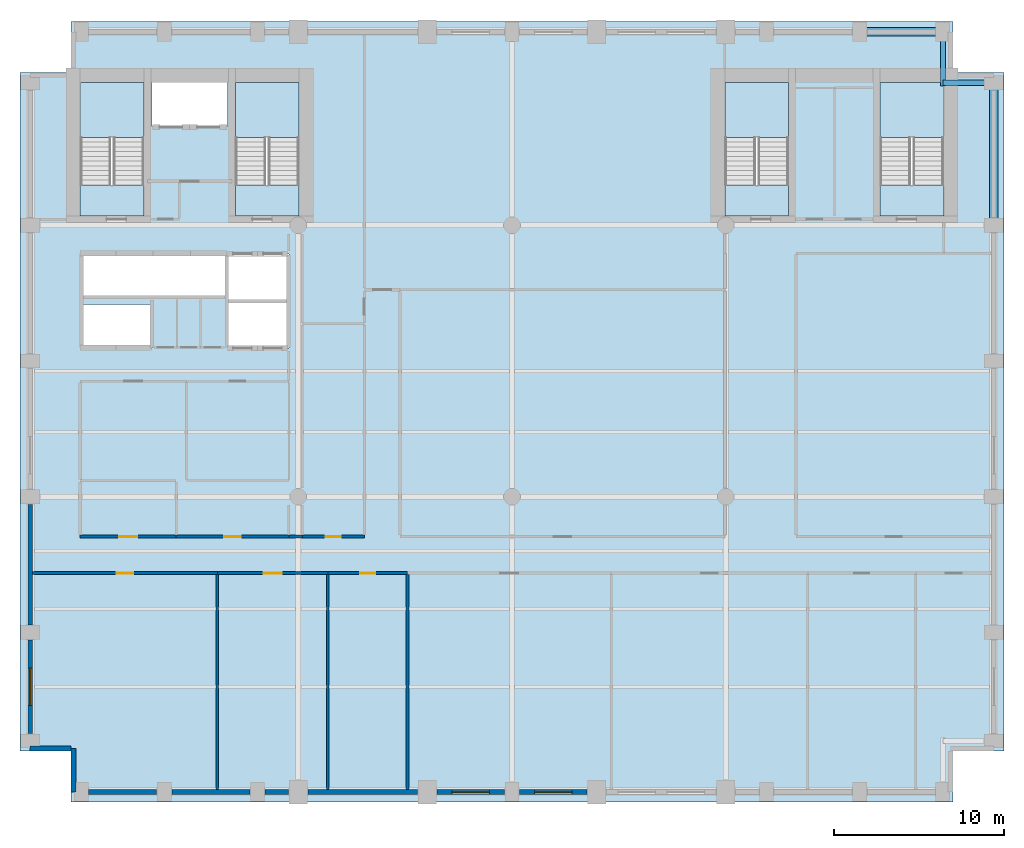
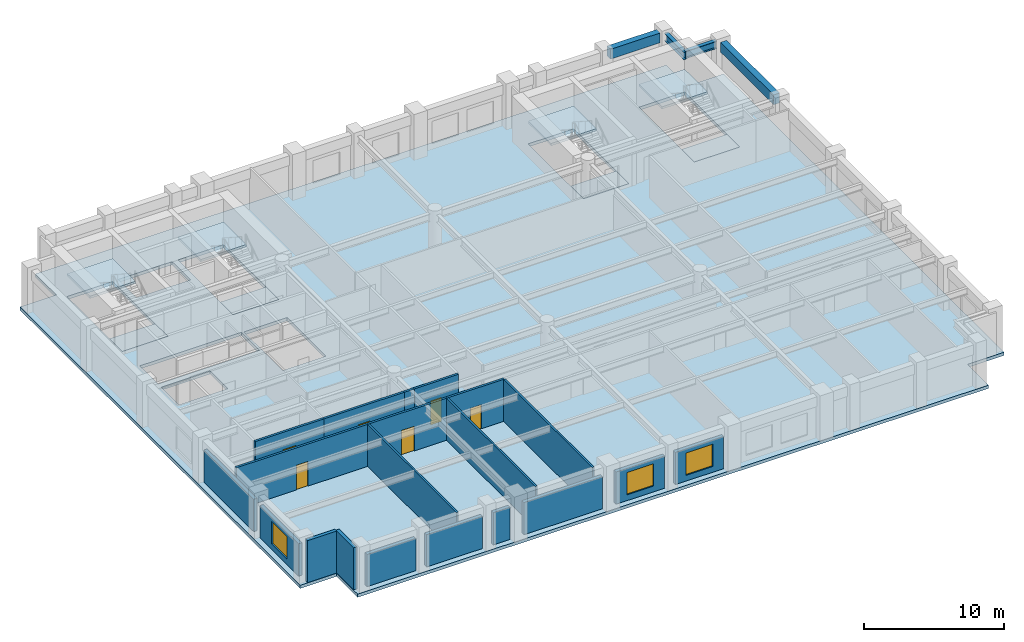
# One storey, part 2 of 8: 20 walls, 9 slabs, 6 doors, 4 beams, 3 windows, 9 openings, 4 elements without a shape of their own.
"""IFC4 building model written with IfcOpenShell, lengths in metres."""

from ifc_helpers import new_model, si_unit, direction, frame, frame_2d, origin, origin_2d, place, context, subcontext, project, spatial, polyline, rectangle, i_section, outline, extrude, material, layer, layer_set, material_profile, profile_set, type_object, element, fill, aggregate, save


model = new_model("IFC4")

# Units and contexts
model_context = context("Model", 3, precision=1e-05, world=origin(), true_north=direction((0.0, 1.0)))
body_context = subcontext(model_context, "Body", "Model", "MODEL_VIEW")
ifc_project = project(units=[si_unit("LENGTHUNIT", "METRE"), si_unit("AREAUNIT", "SQUARE_METRE"), si_unit("VOLUMEUNIT", "CUBIC_METRE"), si_unit("PLANEANGLEUNIT", "RADIAN"), si_unit("MASSUNIT", "GRAM", prefix="KILO")], contexts=[model_context])

# Site, building, storey
site_placement = place(None, origin())
site = spatial("IfcSite", under=ifc_project, at=site_placement, CompositionType="ELEMENT")
building_placement = place(site_placement, origin())
building = spatial("IfcBuilding", under=site, at=building_placement, Name="Sulina Concourse Tower", CompositionType="ELEMENT")
storey_placement = place(building_placement, frame((0.0, 0.0, 156.60009765625)))
storey = spatial("IfcBuildingStorey", under=building, at=storey_placement, Name="L38", CompositionType="ELEMENT", Elevation=156.60009765625)

# Beams
ifc_material_1 = material(Name="Steel S355", Category="steel")
ifc_material_profile_1 = material_profile(ifc_material_1, i_section(OverallWidth=0.300048828125, OverallDepth=0.64990234375, WebThickness=0.01611328125, FlangeThickness=0.031005859375, at=origin_2d()), Name="HE 650 B")
ifc_profile_set_1 = profile_set([ifc_material_profile_1], Name="Steel S355")
beam_type_1 = type_object("IfcBeamType", Name="Floor Primary Girder Zone 2 HE650B", PredefinedType="BEAM", material=ifc_profile_set_1)
beam_1_placement = place(storey_placement, frame((54.39990234375, 42.39990234375, 3.3349609375), z_axis=(1.0, 0.0, 0.0), x_axis=(0.0, 1.0, 0.0)))
element("IfcBeam", 1, at=beam_1_placement, inside=storey, type_object=beam_type_1, Name="TIE-NE-L38", PredefinedType="BEAM", context=body_context, shape_type="SweptSolid", body=[
    extrude(i_section(OverallWidth=0.300048828125, OverallDepth=0.64990234375, WebThickness=0.01611328125, FlangeThickness=0.031005859375, at=origin_2d()), origin(), (0.0, 0.0, 1.0), 2.59521484375),
])
beam_2_placement = place(storey_placement, frame((54.39990234375, 42.199951171875, 3.3349609375), z_axis=(0.0, 1.0, 0.0), x_axis=(-1.0, 0.0, 0.0)))
element("IfcBeam", 2, at=beam_2_placement, inside=storey, type_object=beam_type_1, Name="TIE-NEN-L38", PredefinedType="BEAM", context=body_context, shape_type="SweptSolid", body=[
    extrude(i_section(OverallWidth=0.300048828125, OverallDepth=0.64990234375, WebThickness=0.01611328125, FlangeThickness=0.031005859375, at=origin_2d()), origin(), (0.0, 0.0, 1.0), 2.795166015625),
])
ifc_material_2 = material(Name="Precast concrete C50/60", Category="concrete")
ifc_material_profile_2 = material_profile(ifc_material_2, rectangle(XDim=0.5, YDim=0.85009765625, at=origin_2d()), Name="RC 500x850")
ifc_profile_set_2 = profile_set([ifc_material_profile_2], Name="Precast concrete C50/60")
beam_type_2 = type_object("IfcBeamType", Name="Lower Precast Spandrel Edge Beam 500x850", PredefinedType="BEAM", material=ifc_profile_set_2)
beam_3_placement = place(storey_placement, frame((49.905029296875, 45.39990234375, 3.23486328125), z_axis=(1.0, 0.0, 0.0), x_axis=(0.0, 1.0, 0.0)))
element("IfcBeam", 3, at=beam_3_placement, inside=storey, type_object=beam_type_2, Name="SP-N10-L38", PredefinedType="BEAM", context=body_context, shape_type="SweptSolid", body=[
    extrude(rectangle(XDim=0.5, YDim=0.85009765625, at=origin_2d()), origin(), (0.0, 0.0, 1.0), 4.090087890625),
])
beam_4_placement = place(storey_placement, frame((57.39990234375, 34.405029296875, 3.23486328125), z_axis=(0.0, 1.0, 0.0), x_axis=(-1.0, 0.0, 0.0)))
element("IfcBeam", 4, at=beam_4_placement, inside=storey, type_object=beam_type_2, Name="SP-E5-L38", PredefinedType="BEAM", context=body_context, shape_type="SweptSolid", body=[
    extrude(rectangle(XDim=0.5, YDim=0.85009765625, at=origin_2d()), origin(), (0.0, 0.0, 1.0), 7.590087890625),
])

# Slabs
ifc_material_3 = material(Name="Concrete C50/60", Category="concrete")
ifc_layer_1 = layer(ifc_material_3, 0.27490234375)
ifc_layer_set_1 = layer_set([ifc_layer_1], Name="Concrete C50/60")
slab_type_1 = type_object("IfcSlabType", Name="Mid-Rise Composite Floor Slab 275mm", PredefinedType="FLOOR", material=ifc_layer_set_1)
slab_1_placement = place(storey_placement, frame((0.0, 0.0, -0.275146484375)))
element("IfcSlab", 5, at=slab_1_placement, inside=storey, type_object=slab_type_1, Name="L38 structural floor slab", PredefinedType="FLOOR", context=body_context, shape_type="SweptSolid", body=[
    extrude(outline(polyline([(3.0, 0.0), (55.0, 0.0), (55.0, 3.0), (58.0, 3.0), (58.0, 43.0), (55.0, 43.0), (55.0, 46.0), (3.0, 46.0), (3.0, 43.0), (0.0, 43.0), (0.0, 3.0), (3.0, 3.0), (3.0, 0.0)]), holes=[polyline([(7.31005859375, 34.550048828125), (7.31005859375, 42.429931640625), (3.550048828125, 42.429931640625), (3.550048828125, 34.550048828125), (7.31005859375, 34.550048828125)]), polyline([(16.449951171875, 34.550048828125), (16.449951171875, 42.429931640625), (12.68994140625, 42.429931640625), (12.68994140625, 34.550048828125), (16.449951171875, 34.550048828125)]), polyline([(45.31005859375, 34.550048828125), (45.31005859375, 42.429931640625), (41.550048828125, 42.429931640625), (41.550048828125, 34.550048828125), (45.31005859375, 34.550048828125)]), polyline([(54.449951171875, 34.550048828125), (54.449951171875, 42.429931640625), (50.68994140625, 42.429931640625), (50.68994140625, 34.550048828125), (54.449951171875, 34.550048828125)]), polyline([(7.780029296875, 39.830078125), (12.219970703125, 39.830078125), (12.219970703125, 42.449951171875), (7.780029296875, 42.449951171875), (7.780029296875, 39.830078125)]), polyline([(3.739990234375, 26.780029296875), (7.77001953125, 26.780029296875), (7.77001953125, 29.320068359375), (3.739990234375, 29.320068359375), (3.739990234375, 26.780029296875)]), polyline([(3.739990234375, 29.780029296875), (12.10009765625, 29.780029296875), (12.10009765625, 32.3701171875), (3.739990234375, 32.3701171875), (3.739990234375, 29.780029296875)]), polyline([(12.280029296875, 26.780029296875), (15.85009765625, 26.780029296875), (15.85009765625, 32.320068359375), (12.280029296875, 32.320068359375), (12.280029296875, 26.780029296875)])]), origin(), (0.0, 0.0, 1.0), 0.275146484375),
])
ifc_material_4 = material(Name="Concrete C50/60", Category="concrete")
ifc_layer_2 = layer(ifc_material_4, 0.199951171875)
ifc_layer_set_2 = layer_set([ifc_layer_2], Name="Concrete C50/60")
slab_type_2 = type_object("IfcSlabType", Name="Primary Core Stair Landing Slab 200mm", PredefinedType="LANDING", material=ifc_layer_set_2)
slab_2_placement = place(storey_placement, frame((0.0, 0.0, -0.2001953125)))
element("IfcSlab", 6, at=slab_2_placement, inside=storey, type_object=slab_type_2, Name="L38 ST-1 floor landing slab", PredefinedType="LANDING", context=body_context, shape_type="SweptSolid", body=[
    extrude(outline(polyline([(7.31005859375, 34.550048828125), (7.31005859375, 36.375), (3.550048828125, 36.375), (3.550048828125, 34.550048828125), (7.31005859375, 34.550048828125)])), origin(), (0.0, 0.0, 1.0), 0.2001953125),
])
slab_3_placement = place(storey_placement, frame((0.0, 0.0, -0.2001953125)))
element("IfcSlab", 7, at=slab_3_placement, inside=storey, type_object=slab_type_2, Name="L38 ST-2 floor landing slab", PredefinedType="LANDING", context=body_context, shape_type="SweptSolid", body=[
    extrude(outline(polyline([(16.449951171875, 34.550048828125), (16.449951171875, 36.375), (12.68994140625, 36.375), (12.68994140625, 34.550048828125), (16.449951171875, 34.550048828125)])), origin(), (0.0, 0.0, 1.0), 0.2001953125),
])
slab_4_placement = place(storey_placement, frame((0.0, 0.0, -0.2001953125)))
element("IfcSlab", 8, at=slab_4_placement, inside=storey, type_object=slab_type_2, Name="L38 ST-3 floor landing slab", PredefinedType="LANDING", context=body_context, shape_type="SweptSolid", body=[
    extrude(outline(polyline([(45.31005859375, 34.550048828125), (45.31005859375, 36.375), (41.550048828125, 36.375), (41.550048828125, 34.550048828125), (45.31005859375, 34.550048828125)])), origin(), (0.0, 0.0, 1.0), 0.2001953125),
])
slab_5_placement = place(storey_placement, frame((0.0, 0.0, -0.2001953125)))
element("IfcSlab", 9, at=slab_5_placement, inside=storey, type_object=slab_type_2, Name="L38 ST-4 floor landing slab", PredefinedType="LANDING", context=body_context, shape_type="SweptSolid", body=[
    extrude(outline(polyline([(54.449951171875, 34.550048828125), (54.449951171875, 36.375), (50.68994140625, 36.375), (50.68994140625, 34.550048828125), (54.449951171875, 34.550048828125)])), origin(), (0.0, 0.0, 1.0), 0.2001953125),
])

# Stair, slab
ifc_material_5 = material(Name="Concrete C50/60", Category="concrete")
stair_type_1 = type_object("IfcStairType", Name="Primary Core Dog-Leg Exit Stair 1800mm", PredefinedType="HALF_TURN_STAIR", material=ifc_material_5)
stair_1_placement = place(storey_placement, origin())
stair_1 = element("IfcStair", 10, at=stair_1_placement, inside=storey, type_object=stair_type_1, Name="L38 ST-1", PredefinedType="HALF_TURN_STAIR")
slab_6_placement = place(storey_placement, frame((0.0, 0.0, 1.7998046875)))
slab_6 = element("IfcSlab", 11, at=slab_6_placement, type_object=slab_type_2, Name="ST-1 landing 1", PredefinedType="LANDING", context=body_context, shape_type="SweptSolid", body=[
    extrude(outline(polyline([(7.304931640625, 39.175048828125), (7.304931640625, 42.425048828125), (3.554931640625, 42.425048828125), (3.554931640625, 39.175048828125), (7.304931640625, 39.175048828125)])), origin(), (0.0, 0.0, 1.0), 0.2001953125),
])
aggregate(stair_1, [slab_6])

stair_2_placement = place(storey_placement, origin())
stair_2 = element("IfcStair", 12, at=stair_2_placement, inside=storey, type_object=stair_type_1, Name="L38 ST-2", PredefinedType="HALF_TURN_STAIR")
slab_7_placement = place(storey_placement, frame((0.0, 0.0, 1.7998046875)))
slab_7 = element("IfcSlab", 13, at=slab_7_placement, type_object=slab_type_2, Name="ST-2 landing 1", PredefinedType="LANDING", context=body_context, shape_type="SweptSolid", body=[
    extrude(outline(polyline([(16.445068359375, 39.175048828125), (16.445068359375, 42.425048828125), (12.695068359375, 42.425048828125), (12.695068359375, 39.175048828125), (16.445068359375, 39.175048828125)])), origin(), (0.0, 0.0, 1.0), 0.2001953125),
])
aggregate(stair_2, [slab_7])

ifc_material_6 = material(Name="Concrete C50/60", Category="concrete")
stair_type_2 = type_object("IfcStairType", Name="Portal & Podium Core Exit Stair 1820mm", PredefinedType="HALF_TURN_STAIR", material=ifc_material_6)
stair_3_placement = place(storey_placement, origin())
stair_3 = element("IfcStair", 14, at=stair_3_placement, inside=storey, type_object=stair_type_2, Name="L38 ST-3", PredefinedType="HALF_TURN_STAIR")
slab_8_placement = place(storey_placement, frame((0.0, 0.0, 1.7998046875)))
slab_8 = element("IfcSlab", 15, at=slab_8_placement, type_object=slab_type_2, Name="ST-3 landing 1", PredefinedType="LANDING", context=body_context, shape_type="SweptSolid", body=[
    extrude(outline(polyline([(45.304931640625, 39.175048828125), (45.304931640625, 42.425048828125), (41.554931640625, 42.425048828125), (41.554931640625, 39.175048828125), (45.304931640625, 39.175048828125)])), origin(), (0.0, 0.0, 1.0), 0.2001953125),
])
aggregate(stair_3, [slab_8])

stair_4_placement = place(storey_placement, origin())
stair_4 = element("IfcStair", 16, at=stair_4_placement, inside=storey, type_object=stair_type_2, Name="L38 ST-4", PredefinedType="HALF_TURN_STAIR")
slab_9_placement = place(storey_placement, frame((0.0, 0.0, 1.7998046875)))
slab_9 = element("IfcSlab", 17, at=slab_9_placement, type_object=slab_type_2, Name="ST-4 landing 1", PredefinedType="LANDING", context=body_context, shape_type="SweptSolid", body=[
    extrude(outline(polyline([(54.445068359375, 39.175048828125), (54.445068359375, 42.425048828125), (50.695068359375, 42.425048828125), (50.695068359375, 39.175048828125), (54.445068359375, 39.175048828125)])), origin(), (0.0, 0.0, 1.0), 0.2001953125),
])
aggregate(stair_4, [slab_9])

# Walls
ifc_material_7 = material(Name="Gypsum board on steel stud", Category="steel")
ifc_layer_3 = layer(ifc_material_7, 0.14990234375)
ifc_layer_set_3 = layer_set([ifc_layer_3], Name="Gypsum board on steel stud")
wall_type_1 = type_object("IfcWallType", Name="Inter-Tenancy Acoustic Partition 150mm", PredefinedType="PARTITIONING", material=ifc_layer_set_3)
for number, where, z_axis, x_axis, name in (
    (18, (11.639892578125, 0.739990234375, 0.0), (0.0, 0.0, 1.0), (0.0, 1.0, 0.0), "L38 interior partition 037"),
    (19, (18.139892578125, 0.739990234375, 0.0), (0.0, 0.0, 1.0), (0.0, 1.0, 0.0), "L38 interior partition 045"),
    (20, (22.840087890625, 0.739990234375, 0.0), (0.0, 0.0, 1.0), (0.0, 1.0, 0.0), "L38 interior partition 050"),
):
    element("IfcWall", number, at=place(storey_placement, frame(where, z_axis=z_axis, x_axis=x_axis)), inside=storey, type_object=wall_type_1, Name=name, PredefinedType="PARTITIONING", context=body_context, shape_type="SweptSolid", body=[
        extrude(rectangle(XDim=12.669921875, YDim=0.14990234375, at=frame_2d((6.3349609375, 0.0))), origin(), (0.0, 0.0, 1.0), 3.659912109375),
    ])

# Wall, opening, door
ifc_material_8 = material(Name="Gypsum board on steel stud", Category="steel")
ifc_layer_4 = layer(ifc_material_8, 0.179931640625)
ifc_layer_set_4 = layer_set([ifc_layer_4], Name="Gypsum board on steel stud")
wall_type_2 = type_object("IfcWallType", Name="Protected Corridor & Riser Partition 180mm", PredefinedType="PARTITIONING", material=ifc_layer_set_4)
wall_1_placement = place(storey_placement, frame((0.739990234375, 13.5, 0.0), z_axis=(0.0, 0.0, 1.0), x_axis=(1.0, 0.0, 0.0)))
wall_1 = element("IfcWall", 21, at=wall_1_placement, inside=storey, type_object=wall_type_2, Name="L38 interior partition 001", PredefinedType="PARTITIONING", context=body_context, shape_type="SweptSolid", body=[
    extrude(rectangle(XDim=10.89990234375, YDim=0.179931640625, at=frame_2d((5.449951171875, 0.0))), origin(), (0.0, 0.0, 1.0), 3.659912109375),
])
opening_1_placement = place(wall_1_placement, frame((4.97509765625, 0.0, 0.0)))
opening_1 = element("IfcOpeningElement", 22, at=opening_1_placement, cuts=wall_1, Name="Opening DR-19", PredefinedType="OPENING", context=body_context, shape_type="SweptSolid", body=[
    extrude(rectangle(XDim=0.949951171875, YDim=2.14990234375, at=frame_2d((0.47509765625, 1.074951171875))), frame((0.0, 0.099853515625, 0.0), z_axis=(0.0, -1.0, 0.0), x_axis=(1.0, 0.0, 0.0)), (0.0, 0.0, 1.0), 0.199951171875),
])
ifc_material_9 = material(Name="Oak-veneered acoustic timber leaf", Category="wood")
ifc_layer_5 = layer(ifc_material_9, 0.050048828125)
ifc_layer_set_5 = layer_set([ifc_layer_5], Name="Oak-veneered acoustic timber leaf")
door_type_1 = type_object("IfcDoorType", Name="Cellular Office & Meeting Door 950x2150", OperationType="NOTDEFINED", PredefinedType="DOOR", material=ifc_layer_set_5)
door_1_placement = place(opening_1_placement, origin())
door_1 = element("IfcDoor", 23, at=door_1_placement, inside=storey, type_object=door_type_1, Name="L38 interior door L38-S01", OperationType="SINGLE_SWING_RIGHT", OverallHeight=2.14990234375, OverallWidth=0.949951171875, PredefinedType="DOOR", context=body_context, shape_type="SweptSolid", body=[
    extrude(rectangle(XDim=0.949951171875, YDim=2.14990234375, at=frame_2d((0.47509765625, 1.074951171875))), frame((0.0, 0.02490234375, 0.0), z_axis=(0.0, -1.0, 0.0), x_axis=(1.0, 0.0, 0.0)), (0.0, 0.0, 1.0), 0.050048828125),
])
fill(opening_1, door_1)

wall_2_placement = place(storey_placement, frame((11.639892578125, 13.5, 0.0), z_axis=(0.0, 0.0, 1.0), x_axis=(1.0, 0.0, 0.0)))
wall_2 = element("IfcWall", 24, at=wall_2_placement, inside=storey, type_object=wall_type_2, Name="L38 interior partition 002", PredefinedType="PARTITIONING", context=body_context, shape_type="SweptSolid", body=[
    extrude(rectangle(XDim=6.5, YDim=0.179931640625, at=frame_2d((3.25, 0.0))), origin(), (0.0, 0.0, 1.0), 3.659912109375),
])
opening_2_placement = place(wall_2_placement, frame((2.72509765625, 0.0, 0.0)))
opening_2 = element("IfcOpeningElement", 25, at=opening_2_placement, cuts=wall_2, Name="Opening DR-37", PredefinedType="OPENING", context=body_context, shape_type="SweptSolid", body=[
    extrude(rectangle(XDim=1.050048828125, YDim=2.14990234375, at=frame_2d((0.52490234375, 1.074951171875))), frame((0.0, 0.099853515625, 0.0), z_axis=(0.0, -1.0, 0.0), x_axis=(1.0, 0.0, 0.0)), (0.0, 0.0, 1.0), 0.199951171875),
])
ifc_material_10 = material(Name="Oak-veneered fire door leaf")
ifc_layer_6 = layer(ifc_material_10, 0.050048828125)
ifc_layer_set_6 = layer_set([ifc_layer_6], Name="Oak-veneered fire door leaf")
door_type_2 = type_object("IfcDoorType", Name="Tenant Suite Entrance Fire Door 1050x2150", OperationType="NOTDEFINED", PredefinedType="DOOR", material=ifc_layer_set_6)
door_2_placement = place(opening_2_placement, origin())
door_2 = element("IfcDoor", 26, at=door_2_placement, inside=storey, type_object=door_type_2, Name="L38 interior door L38-S02A", OperationType="SINGLE_SWING_LEFT", OverallHeight=2.14990234375, OverallWidth=1.050048828125, PredefinedType="DOOR", context=body_context, shape_type="SweptSolid", body=[
    extrude(rectangle(XDim=1.050048828125, YDim=2.14990234375, at=frame_2d((0.52490234375, 1.074951171875))), frame((0.0, 0.02490234375, 0.0), z_axis=(0.0, -1.0, 0.0), x_axis=(1.0, 0.0, 0.0)), (0.0, 0.0, 1.0), 0.050048828125),
])
fill(opening_2, door_2)

wall_3_placement = place(storey_placement, frame((18.139892578125, 13.5, 0.0), z_axis=(0.0, 0.0, 1.0), x_axis=(1.0, 0.0, 0.0)))
wall_3 = element("IfcWall", 27, at=wall_3_placement, inside=storey, type_object=wall_type_2, Name="L38 interior partition 003", PredefinedType="PARTITIONING", context=body_context, shape_type="SweptSolid", body=[
    extrude(rectangle(XDim=4.7001953125, YDim=0.179931640625, at=frame_2d((2.35009765625, 0.0))), origin(), (0.0, 0.0, 1.0), 3.659912109375),
])
opening_3_placement = place(wall_3_placement, frame((1.909912109375, 0.0, 0.0)))
opening_3 = element("IfcOpeningElement", 28, at=opening_3_placement, cuts=wall_3, Name="Opening DR-38", PredefinedType="OPENING", context=body_context, shape_type="SweptSolid", body=[
    extrude(rectangle(XDim=0.8798828125, YDim=2.10009765625, at=frame_2d((0.43994140625, 1.050048828125))), frame((0.0, 0.099853515625, 0.0), z_axis=(0.0, -1.0, 0.0), x_axis=(1.0, 0.0, 0.0)), (0.0, 0.0, 1.0), 0.199951171875),
])
ifc_material_11 = material(Name="Galvanised steel acoustic fire leaf", Category="steel")
ifc_layer_7 = layer(ifc_material_11, 0.050048828125)
ifc_layer_set_7 = layer_set([ifc_layer_7], Name="Galvanised steel acoustic fire leaf")
door_type_3 = type_object("IfcDoorType", Name="Service Riser Fire Door 880x2100", OperationType="NOTDEFINED", PredefinedType="DOOR", material=ifc_layer_set_7)
door_3_placement = place(opening_3_placement, origin())
door_3 = element("IfcDoor", 29, at=door_3_placement, inside=storey, type_object=door_type_3, Name="L38 interior door L38-S02B", OperationType="SINGLE_SWING_RIGHT", OverallHeight=2.10009765625, OverallWidth=0.8798828125, PredefinedType="DOOR", context=body_context, shape_type="SweptSolid", body=[
    extrude(rectangle(XDim=0.8798828125, YDim=2.10009765625, at=frame_2d((0.43994140625, 1.050048828125))), frame((0.0, 0.02490234375, 0.0), z_axis=(0.0, -1.0, 0.0), x_axis=(1.0, 0.0, 0.0)), (0.0, 0.0, 1.0), 0.050048828125),
])
fill(opening_3, door_3)

wall_4_placement = place(storey_placement, frame((3.550048828125, 15.64990234375, 0.0), z_axis=(0.0, 0.0, 1.0), x_axis=(1.0, 0.0, 0.0)))
wall_4 = element("IfcWall", 30, at=wall_4_placement, inside=storey, type_object=wall_type_2, Name="L38 interior partition 008", PredefinedType="PARTITIONING", context=body_context, shape_type="SweptSolid", body=[
    extrude(rectangle(XDim=5.64990234375, YDim=0.179931640625, at=frame_2d((2.824951171875, 0.0))), origin(), (0.0, 0.0, 1.0), 3.659912109375),
])
opening_4_placement = place(wall_4_placement, frame((2.300048828125, 0.0, 0.0)))
opening_4 = element("IfcOpeningElement", 31, at=opening_4_placement, cuts=wall_4, Name="Opening DR-37", PredefinedType="OPENING", context=body_context, shape_type="SweptSolid", body=[
    extrude(rectangle(XDim=1.050048828125, YDim=2.14990234375, at=frame_2d((0.52490234375, 1.074951171875))), frame((0.0, 0.099853515625, 0.0), z_axis=(0.0, -1.0, 0.0), x_axis=(1.0, 0.0, 0.0)), (0.0, 0.0, 1.0), 0.199951171875),
])
door_4_placement = place(opening_4_placement, origin())
door_4 = element("IfcDoor", 32, at=door_4_placement, inside=storey, type_object=door_type_2, Name="L38 interior door L38-WSB-1", OperationType="SINGLE_SWING_LEFT", OverallHeight=2.14990234375, OverallWidth=1.050048828125, PredefinedType="DOOR", context=body_context, shape_type="SweptSolid", body=[
    extrude(rectangle(XDim=1.050048828125, YDim=2.14990234375, at=frame_2d((0.52490234375, 1.074951171875))), frame((0.0, 0.02490234375, 0.0), z_axis=(0.0, -1.0, 0.0), x_axis=(1.0, 0.0, 0.0)), (0.0, 0.0, 1.0), 0.050048828125),
])
fill(opening_4, door_4)

wall_5_placement = place(storey_placement, frame((9.199951171875, 15.64990234375, 0.0), z_axis=(0.0, 0.0, 1.0), x_axis=(1.0, 0.0, 0.0)))
wall_5 = element("IfcWall", 33, at=wall_5_placement, inside=storey, type_object=wall_type_2, Name="L38 interior partition 009", PredefinedType="PARTITIONING", context=body_context, shape_type="SweptSolid", body=[
    extrude(rectangle(XDim=6.650146484375, YDim=0.179931640625, at=frame_2d((3.3251953125, 0.0))), origin(), (0.0, 0.0, 1.0), 3.659912109375),
])
opening_5_placement = place(wall_5_placement, frame((2.85009765625, 0.0, 0.0)))
opening_5 = element("IfcOpeningElement", 34, at=opening_5_placement, cuts=wall_5, Name="Opening DR-19", PredefinedType="OPENING", context=body_context, shape_type="SweptSolid", body=[
    extrude(rectangle(XDim=0.949951171875, YDim=2.14990234375, at=frame_2d((0.47509765625, 1.074951171875))), frame((0.0, 0.099853515625, 0.0), z_axis=(0.0, -1.0, 0.0), x_axis=(1.0, 0.0, 0.0)), (0.0, 0.0, 1.0), 0.199951171875),
])
door_5_placement = place(opening_5_placement, origin())
door_5 = element("IfcDoor", 35, at=door_5_placement, inside=storey, type_object=door_type_1, Name="L38 interior door L38-WSB-2", OperationType="SINGLE_SWING_RIGHT", OverallHeight=2.14990234375, OverallWidth=0.949951171875, PredefinedType="DOOR", context=body_context, shape_type="SweptSolid", body=[
    extrude(rectangle(XDim=0.949951171875, YDim=2.14990234375, at=frame_2d((0.47509765625, 1.074951171875))), frame((0.0, 0.02490234375, 0.0), z_axis=(0.0, -1.0, 0.0), x_axis=(1.0, 0.0, 0.0)), (0.0, 0.0, 1.0), 0.050048828125),
])
fill(opening_5, door_5)

# Wall
wall_6_placement = place(storey_placement, frame((15.85009765625, 15.64990234375, 0.0), z_axis=(0.0, 0.0, 1.0), x_axis=(1.0, 0.0, 0.0)))
element("IfcWall", 36, at=wall_6_placement, inside=storey, type_object=wall_type_2, Name="L38 interior partition 010", PredefinedType="PARTITIONING", context=body_context, shape_type="SweptSolid", body=[
    extrude(rectangle(XDim=0.7998046875, YDim=0.179931640625, at=frame_2d((0.39990234375, 0.0))), origin(), (0.0, 0.0, 1.0), 3.659912109375),
])

# Wall, opening, door
wall_7_placement = place(storey_placement, frame((16.64990234375, 15.64990234375, 0.0), z_axis=(0.0, 0.0, 1.0), x_axis=(1.0, 0.0, 0.0)))
wall_7 = element("IfcWall", 37, at=wall_7_placement, inside=storey, type_object=wall_type_2, Name="L38 interior partition 011", PredefinedType="PARTITIONING", context=body_context, shape_type="SweptSolid", body=[
    extrude(rectangle(XDim=3.650146484375, YDim=0.179931640625, at=frame_2d((1.8251953125, 0.0))), origin(), (0.0, 0.0, 1.0), 3.659912109375),
])
opening_6_placement = place(wall_7_placement, frame((1.385009765625, 0.0, 0.0)))
opening_6 = element("IfcOpeningElement", 38, at=opening_6_placement, cuts=wall_7, Name="Opening DR-38", PredefinedType="OPENING", context=body_context, shape_type="SweptSolid", body=[
    extrude(rectangle(XDim=0.8798828125, YDim=2.10009765625, at=frame_2d((0.43994140625, 1.050048828125))), frame((0.0, 0.099853515625, 0.0), z_axis=(0.0, -1.0, 0.0), x_axis=(1.0, 0.0, 0.0)), (0.0, 0.0, 1.0), 0.199951171875),
])
door_6_placement = place(opening_6_placement, origin())
door_6 = element("IfcDoor", 39, at=door_6_placement, inside=storey, type_object=door_type_3, Name="L38 interior door L38-NC1", OperationType="SINGLE_SWING_LEFT", OverallHeight=2.10009765625, OverallWidth=0.8798828125, PredefinedType="DOOR", context=body_context, shape_type="SweptSolid", body=[
    extrude(rectangle(XDim=0.8798828125, YDim=2.10009765625, at=frame_2d((0.43994140625, 1.050048828125))), frame((0.0, 0.02490234375, 0.0), z_axis=(0.0, -1.0, 0.0), x_axis=(1.0, 0.0, 0.0)), (0.0, 0.0, 1.0), 0.050048828125),
])
fill(opening_6, door_6)

# Walls
ifc_material_12 = material(Name="Precast concrete C50/60", Category="concrete")
ifc_layer_8 = layer(ifc_material_12, 0.280029296875)
ifc_layer_set_8 = layer_set([ifc_layer_8], Name="Precast concrete C50/60")
wall_type_3 = type_object("IfcWallType", Name="Typical Precast Masonry-Frame Facade Wall 280mm", PredefinedType="SOLIDWALL", material=ifc_layer_set_8)
wall_8_placement = place(storey_placement, frame((8.054931640625, 0.60009765625, 0.0), z_axis=(0.0, 0.0, 1.0), x_axis=(-1.0, 0.0, 0.0)))
element("IfcWall", 40, at=wall_8_placement, inside=storey, type_object=wall_type_3, Name="L38 exterior precast wall S1", PredefinedType="SOLIDWALL", context=body_context, shape_type="SweptSolid", body=[
    extrude(rectangle(XDim=4.010009765625, YDim=0.280029296875, at=frame_2d((2.0048828125, 0.0))), origin(), (0.0, 0.0, 1.0), 2.809814453125),
])
wall_9_placement = place(storey_placement, frame((13.554931640625, 0.60009765625, 0.0), z_axis=(0.0, 0.0, 1.0), x_axis=(-1.0, 0.0, 0.0)))
element("IfcWall", 41, at=wall_9_placement, inside=storey, type_object=wall_type_3, Name="L38 exterior precast wall S2", PredefinedType="SOLIDWALL", context=body_context, shape_type="SweptSolid", body=[
    extrude(rectangle(XDim=4.60986328125, YDim=0.280029296875, at=frame_2d((2.304931640625, 0.0))), origin(), (0.0, 0.0, 1.0), 2.809814453125),
])
wall_10_placement = place(storey_placement, frame((15.830078125, 0.60009765625, 0.0), z_axis=(0.0, 0.0, 1.0), x_axis=(-1.0, 0.0, 0.0)))
element("IfcWall", 42, at=wall_10_placement, inside=storey, type_object=wall_type_3, Name="L38 exterior precast wall S3", PredefinedType="SOLIDWALL", context=body_context, shape_type="SweptSolid", body=[
    extrude(rectangle(XDim=1.385009765625, YDim=0.280029296875, at=frame_2d((0.6923828125, 0.0))), origin(), (0.0, 0.0, 1.0), 2.809814453125),
])
wall_11_placement = place(storey_placement, frame((23.429931640625, 0.60009765625, 0.0), z_axis=(0.0, 0.0, 1.0), x_axis=(-1.0, 0.0, 0.0)))
element("IfcWall", 43, at=wall_11_placement, inside=storey, type_object=wall_type_3, Name="L38 exterior precast wall S4", PredefinedType="SOLIDWALL", context=body_context, shape_type="SweptSolid", body=[
    extrude(rectangle(XDim=6.4599609375, YDim=0.280029296875, at=frame_2d((3.22998046875, 0.0))), origin(), (0.0, 0.0, 1.0), 2.809814453125),
])

# Wall, opening, window
wall_12_placement = place(storey_placement, frame((28.554931640625, 0.60009765625, 0.0), z_axis=(0.0, 0.0, 1.0), x_axis=(-1.0, 0.0, 0.0)))
wall_12 = element("IfcWall", 44, at=wall_12_placement, inside=storey, type_object=wall_type_3, Name="L38 exterior precast wall S5", PredefinedType="SOLIDWALL", context=body_context, shape_type="SweptSolid", body=[
    extrude(rectangle(XDim=3.98486328125, YDim=0.280029296875, at=frame_2d((1.992431640625, 0.0))), origin(), (0.0, 0.0, 1.0), 2.809814453125),
])
opening_7_placement = place(wall_12_placement, frame((0.892578125, 0.0, 0.5)))
opening_7 = element("IfcOpeningElement", 45, at=opening_7_placement, cuts=wall_12, Name="Opening WN-76", PredefinedType="OPENING", context=body_context, shape_type="SweptSolid", body=[
    extrude(rectangle(XDim=2.199951171875, YDim=1.949951171875, at=frame_2d((1.10009765625, 0.97509765625))), frame((0.0, 0.14990234375, 0.0), z_axis=(0.0, -1.0, 0.0), x_axis=(1.0, 0.0, 0.0)), (0.0, 0.0, 1.0), 0.300048828125),
])
ifc_material_13 = material(Name="Low-E solar double glazing in bronze aluminium", Category="aluminium")
window_type = type_object("IfcWindowType", Name="Recessed Spandrel Window 2200x1950", PartitioningType="DOUBLE_PANEL_VERTICAL", PredefinedType="WINDOW", material=ifc_material_13)
window_1_placement = place(opening_7_placement, origin())
window_1 = element("IfcWindow", 46, at=window_1_placement, inside=storey, type_object=window_type, Name="L38 punched window S5-1", OverallHeight=1.949951171875, OverallWidth=2.199951171875, PartitioningType="SINGLE_PANEL", PredefinedType="WINDOW", context=body_context, shape_type="SweptSolid", body=[
    extrude(rectangle(XDim=2.199951171875, YDim=1.949951171875, at=frame_2d((1.10009765625, 0.97509765625))), frame((0.0, 0.030029296875, 0.0), z_axis=(0.0, -1.0, 0.0), x_axis=(1.0, 0.0, 0.0)), (0.0, 0.0, 1.0), 0.06005859375),
])
fill(opening_7, window_1)

wall_13_placement = place(storey_placement, frame((33.429931640625, 0.60009765625, 0.0), z_axis=(0.0, 0.0, 1.0), x_axis=(-1.0, 0.0, 0.0)))
wall_13 = element("IfcWall", 47, at=wall_13_placement, inside=storey, type_object=wall_type_3, Name="L38 exterior precast wall S6", PredefinedType="SOLIDWALL", context=body_context, shape_type="SweptSolid", body=[
    extrude(rectangle(XDim=3.98486328125, YDim=0.280029296875, at=frame_2d((1.992431640625, 0.0))), origin(), (0.0, 0.0, 1.0), 2.809814453125),
])
opening_8_placement = place(wall_13_placement, frame((0.892578125, 0.0, 0.5)))
opening_8 = element("IfcOpeningElement", 48, at=opening_8_placement, cuts=wall_13, Name="Opening WN-76", PredefinedType="OPENING", context=body_context, shape_type="SweptSolid", body=[
    extrude(rectangle(XDim=2.199951171875, YDim=1.949951171875, at=frame_2d((1.10009765625, 0.97509765625))), frame((0.0, 0.14990234375, 0.0), z_axis=(0.0, -1.0, 0.0), x_axis=(1.0, 0.0, 0.0)), (0.0, 0.0, 1.0), 0.300048828125),
])
window_2_placement = place(opening_8_placement, origin())
window_2 = element("IfcWindow", 49, at=window_2_placement, inside=storey, type_object=window_type, Name="L38 punched window S6-1", OverallHeight=1.949951171875, OverallWidth=2.199951171875, PartitioningType="SINGLE_PANEL", PredefinedType="WINDOW", context=body_context, shape_type="SweptSolid", body=[
    extrude(rectangle(XDim=2.199951171875, YDim=1.949951171875, at=frame_2d((1.10009765625, 0.97509765625))), frame((0.0, 0.030029296875, 0.0), z_axis=(0.0, -1.0, 0.0), x_axis=(1.0, 0.0, 0.0)), (0.0, 0.0, 1.0), 0.06005859375),
])
fill(opening_8, window_2)

wall_14_placement = place(storey_placement, frame((0.60009765625, 4.044921875, 0.0), z_axis=(0.0, 0.0, 1.0), x_axis=(0.0, 1.0, 0.0)))
wall_14 = element("IfcWall", 50, at=wall_14_placement, inside=storey, type_object=wall_type_3, Name="L38 exterior precast wall W1", PredefinedType="SOLIDWALL", context=body_context, shape_type="SweptSolid", body=[
    extrude(rectangle(XDim=5.510009765625, YDim=0.280029296875, at=frame_2d((2.7548828125, 0.0))), origin(), (0.0, 0.0, 1.0), 2.809814453125),
])
opening_9_placement = place(wall_14_placement, frame((1.655029296875, 0.0, 0.5)))
opening_9 = element("IfcOpeningElement", 51, at=opening_9_placement, cuts=wall_14, Name="Opening WN-76", PredefinedType="OPENING", context=body_context, shape_type="SweptSolid", body=[
    extrude(rectangle(XDim=2.199951171875, YDim=1.949951171875, at=frame_2d((1.10009765625, 0.97509765625))), frame((0.0, 0.14990234375, 0.0), z_axis=(0.0, -1.0, 0.0), x_axis=(1.0, 0.0, 0.0)), (0.0, 0.0, 1.0), 0.300048828125),
])
window_3_placement = place(opening_9_placement, origin())
window_3 = element("IfcWindow", 52, at=window_3_placement, inside=storey, type_object=window_type, Name="L38 punched window W1-1", OverallHeight=1.949951171875, OverallWidth=2.199951171875, PartitioningType="SINGLE_PANEL", PredefinedType="WINDOW", context=body_context, shape_type="SweptSolid", body=[
    extrude(rectangle(XDim=2.199951171875, YDim=1.949951171875, at=frame_2d((1.10009765625, 0.97509765625))), frame((0.0, 0.030029296875, 0.0), z_axis=(0.0, -1.0, 0.0), x_axis=(1.0, 0.0, 0.0)), (0.0, 0.0, 1.0), 0.06005859375),
])
fill(opening_9, window_3)

# Walls
wall_15_placement = place(storey_placement, frame((0.60009765625, 10.445068359375, 0.0), z_axis=(0.0, 0.0, 1.0), x_axis=(0.0, 1.0, 0.0)))
element("IfcWall", 53, at=wall_15_placement, inside=storey, type_object=wall_type_3, Name="L38 exterior precast wall W2", PredefinedType="SOLIDWALL", context=body_context, shape_type="SweptSolid", body=[
    extrude(rectangle(XDim=7.10986328125, YDim=0.280029296875, at=frame_2d((3.554931640625, 0.0))), origin(), (0.0, 0.0, 1.0), 2.809814453125),
])
wall_16_placement = place(storey_placement, frame((3.155029296875, 0.60009765625, 0.0), z_axis=(0.0, 0.0, 1.0), x_axis=(0.0, 1.0, 0.0)))
element("IfcWall", 54, at=wall_16_placement, inside=storey, type_object=wall_type_3, Name="L38 exterior precast wall CSW1", PredefinedType="SOLIDWALL", context=body_context, shape_type="SweptSolid", body=[
    extrude(rectangle(XDim=2.554931640625, YDim=0.280029296875, at=frame_2d((1.27734375, 0.0))), origin(), (0.0, 0.0, 1.0), 3.659912109375),
])
wall_17_placement = place(storey_placement, frame((3.010009765625, 3.155029296875, 0.0), z_axis=(0.0, 0.0, 1.0), x_axis=(-1.0, 0.0, 0.0)))
element("IfcWall", 55, at=wall_17_placement, inside=storey, type_object=wall_type_3, Name="L38 exterior precast wall CSW2", PredefinedType="SOLIDWALL", context=body_context, shape_type="SweptSolid", body=[
    extrude(rectangle(XDim=2.409912109375, YDim=0.280029296875, at=frame_2d((1.205078125, 0.0))), origin(), (0.0, 0.0, 1.0), 3.659912109375),
])

save(model, "model.ifc")
